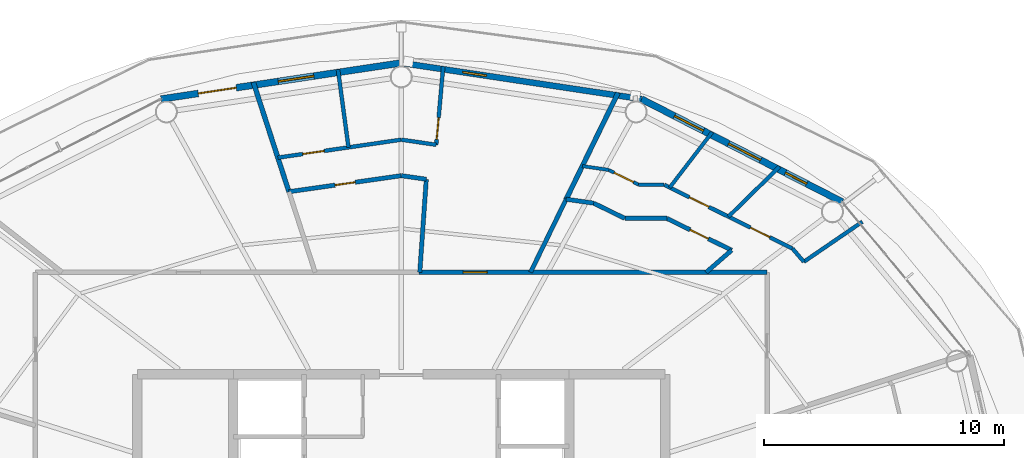
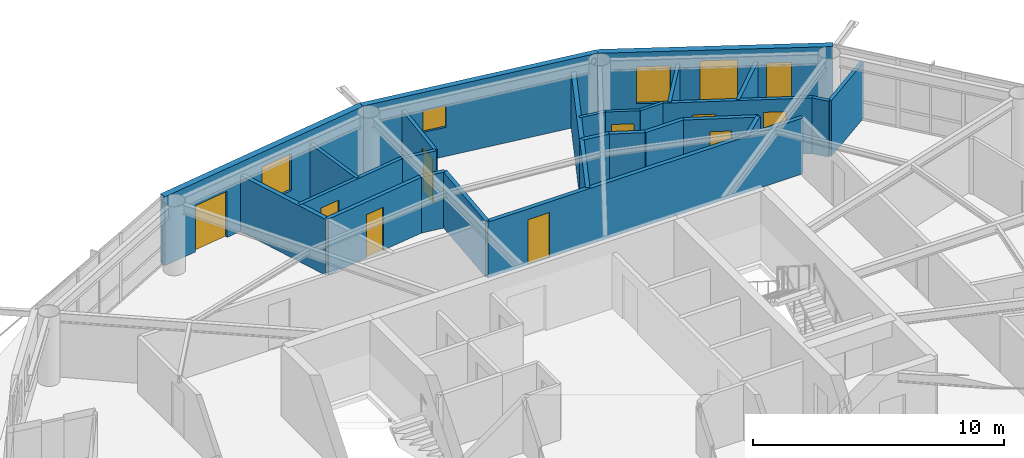
# One storey, part 19 of 23: 27 walls, 9 doors, 5 windows, 14 openings.
"""IFC4 building model written with IfcOpenShell, lengths in metres."""

from ifc_helpers import new_model, si_unit, direction, frame, frame_2d, origin, place, context, subcontext, project, spatial, rectangle, extrude, material, layer, layer_set, type_object, element, fill, save


model = new_model("IFC4")

# Units and contexts
model_context = context("Model", 3, precision=1e-05, world=origin(), true_north=direction((0.0, 1.0)))
body_context = subcontext(model_context, "Body", "Model", "MODEL_VIEW")
ifc_project = project(units=[si_unit("LENGTHUNIT", "METRE"), si_unit("AREAUNIT", "SQUARE_METRE"), si_unit("VOLUMEUNIT", "CUBIC_METRE"), si_unit("PLANEANGLEUNIT", "RADIAN"), si_unit("MASSUNIT", "GRAM", prefix="KILO")], contexts=[model_context])

# Site, building, storey
site_placement = place(None, origin())
site = spatial("IfcSite", under=ifc_project, at=site_placement, CompositionType="ELEMENT")
building_placement = place(site_placement, origin())
building = spatial("IfcBuilding", under=site, at=building_placement, Name="Sarneth Arch Tower", CompositionType="ELEMENT")
storey_placement = place(building_placement, frame((0.0, 0.0, 217.199951171875)))
storey = spatial("IfcBuildingStorey", under=building, at=storey_placement, Name="L55", CompositionType="ELEMENT", Elevation=217.199951171875)

# Wall, opening, door
ifc_material_1 = material(Name="Double steel-stud corridor fire wall", Category="steel")
ifc_layer_1 = layer(ifc_material_1, 0.18994140625)
ifc_layer_set_1 = layer_set([ifc_layer_1], Name="Double steel-stud corridor fire wall")
wall_type_1 = type_object("IfcWallType", Name="WALL-CORR-190", PredefinedType="PARTITIONING", material=ifc_layer_set_1)
wall_1_placement = place(storey_placement, frame((48.740478515625, 53.050048828125, 0.0), z_axis=(0.0, 0.0, 1.0), x_axis=(1.0, 0.0, 0.0)))
wall_1 = element("IfcWall", 1, at=wall_1_placement, inside=storey, type_object=wall_type_1, Name="L55 Interior partition W-L55-TP-003", PredefinedType="PARTITIONING", context=body_context, shape_type="SweptSolid", body=[
    extrude(rectangle(XDim=14.509521484375, YDim=0.18994140625, at=frame_2d((7.2548828125, 0.0))), origin(), (0.0, 0.0, 1.0), 2.719970703125),
])
opening_1_placement = place(wall_1_placement, frame((1.84228515625, 0.0, 0.0)))
opening_1 = element("IfcOpeningElement", 2, at=opening_1_placement, cuts=wall_1, Name="Opening FD-08", PredefinedType="OPENING", context=body_context, shape_type="SweptSolid", body=[
    extrude(rectangle(XDim=1.0, YDim=2.199951171875, at=frame_2d((0.5, 1.10009765625))), frame((0.0, 0.10498046875, 0.0), z_axis=(0.0, -1.0, 0.0), x_axis=(1.0, 0.0, 0.0)), (0.0, 0.0, 1.0), 0.2099609375),
])
ifc_material_2 = material(Name="Hardwood timber acoustic fire door", Category="wood")
door_type_1 = type_object("IfcDoorType", Name="DR-FD60-1000", OperationType="SINGLE_SWING_LEFT", PredefinedType="DOOR", material=ifc_material_2)
door_1_placement = place(opening_1_placement, origin())
door_1 = element("IfcDoor", 3, at=door_1_placement, inside=storey, type_object=door_type_1, Name="L55 Interior door DR-L55-U2-ENT", OperationType="SINGLE_SWING_RIGHT", OverallHeight=2.199951171875, OverallWidth=1.0, PredefinedType="DOOR", context=body_context, shape_type="SweptSolid", body=[
    extrude(rectangle(XDim=1.0, YDim=2.199951171875, at=frame_2d((0.5, 1.10009765625))), frame((0.0, 0.02490234375, 0.0), z_axis=(0.0, -1.0, 0.0), x_axis=(1.0, 0.0, 0.0)), (0.0, 0.0, 1.0), 0.050048828125),
])
fill(opening_1, door_1)

# Wall, opening, window
ifc_material_3 = material(Name="Extruded terracotta rainscreen on Concrete C40/50 backing", Category="masonry")
ifc_layer_2 = layer(ifc_material_3, 0.25)
ifc_layer_set_2 = layer_set([ifc_layer_2], Name="Extruded terracotta rainscreen on Concrete C40/50 backing")
wall_type_2 = type_object("IfcWallType", Name="WALL-EXT-SPAND-250", PredefinedType="SOLIDWALL", material=ifc_layer_set_2)
wall_2_placement = place(storey_placement, frame((58.0126953125, 60.2744140625, 0.0), z_axis=(0.0, 0.0, 1.0), x_axis=(-0.988882522213, 0.148698881169, 0.0)))
wall_2 = element("IfcWall", 4, at=wall_2_placement, inside=storey, type_object=wall_type_2, Name="L55 Terracotta perimeter wall 04", PredefinedType="SOLIDWALL", context=body_context, shape_type="SweptSolid", body=[
    extrude(rectangle(XDim=10.125244140625, YDim=0.25, at=frame_2d((5.0625, 0.0))), origin(), (0.0, 0.0, 1.0), 3.360107421875),
])
opening_2_placement = place(wall_2_placement, frame((6.5341796875, 0.0, 1.419921875)))
opening_2 = element("IfcOpeningElement", 5, at=opening_2_placement, cuts=wall_2, Name="Opening W-14", PredefinedType="OPENING", context=body_context, shape_type="SweptSolid", body=[
    extrude(rectangle(XDim=1.0, YDim=1.050048828125, at=frame_2d((0.5, 0.52490234375))), frame((0.0, 0.135009765625, 0.0), z_axis=(0.0, -1.0, 0.0), x_axis=(1.0, 0.0, 0.0)), (0.0, 0.0, 1.0), 0.27001953125),
])
ifc_material_4 = material(Name="Thermally broken Aluminium 6063-T6 and low-e laminated IGU", Category="aluminium")
window_type_1 = type_object("IfcWindowType", Name="WIN-TWR-1000x1050", PartitioningType="SINGLE_PANEL", PredefinedType="WINDOW", material=ifc_material_4)
window_1_placement = place(opening_2_placement, origin())
window_1 = element("IfcWindow", 6, at=window_1_placement, inside=storey, type_object=window_type_1, Name="L55 Dwelling bedroom window 01", OverallHeight=1.050048828125, OverallWidth=1.0, PartitioningType="SINGLE_PANEL", PredefinedType="WINDOW", context=body_context, shape_type="SweptSolid", body=[
    extrude(rectangle(XDim=1.0, YDim=1.050048828125, at=frame_2d((0.5, 0.52490234375))), frame((0.0, 0.030029296875, 0.0), z_axis=(0.0, -1.0, 0.0), x_axis=(1.0, 0.0, 0.0)), (0.0, 0.0, 1.0), 0.06005859375),
])
fill(opening_2, window_1)

# Wall, openings, windows
ifc_material_5 = material(Name="Extruded terracotta rainscreen on Concrete C40/50 backing", Category="masonry")
ifc_layer_3 = layer(ifc_material_5, 0.280029296875)
ifc_layer_set_3 = layer_set([ifc_layer_3], Name="Extruded terracotta rainscreen on Concrete C40/50 backing")
wall_type_3 = type_object("IfcWallType", Name="WALL-EXT-TERRA-280", PredefinedType="SOLIDWALL", material=ifc_layer_set_3)
wall_3_placement = place(storey_placement, frame((66.382568359375, 55.986572265625, 0.0), z_axis=(0.0, 0.0, 1.0), x_axis=(-0.890007394051, 0.455946091699, 0.0)))
wall_3 = element("IfcWall", 7, at=wall_3_placement, inside=storey, type_object=wall_type_3, Name="L55 Terracotta perimeter wall 03", PredefinedType="SOLIDWALL", context=body_context, shape_type="SweptSolid", body=[
    extrude(rectangle(XDim=9.404296875, YDim=0.280029296875, at=frame_2d((4.7021484375, 0.0))), origin(), (0.0, 0.0, 1.0), 3.360107421875),
])
opening_3_placement = place(wall_3_placement, frame((1.6611328125, 0.0, 0.85009765625)))
opening_3 = element("IfcOpeningElement", 8, at=opening_3_placement, cuts=wall_3, Name="Opening W-11", PredefinedType="OPENING", context=body_context, shape_type="SweptSolid", body=[
    extrude(rectangle(XDim=1.0, YDim=1.800048828125, at=frame_2d((0.5, 0.89990234375))), frame((0.0, 0.14990234375, 0.0), z_axis=(0.0, -1.0, 0.0), x_axis=(1.0, 0.0, 0.0)), (0.0, 0.0, 1.0), 0.300048828125),
])
opening_4_placement = place(wall_3_placement, frame((3.82275390625, 0.0, 0.85009765625)))
opening_4 = element("IfcOpeningElement", 9, at=opening_4_placement, cuts=wall_3, Name="Opening W-06", PredefinedType="OPENING", context=body_context, shape_type="SweptSolid", body=[
    extrude(rectangle(XDim=1.5, YDim=2.0, at=frame_2d((0.75, 1.0))), frame((0.0, 0.14990234375, 0.0), z_axis=(0.0, -1.0, 0.0), x_axis=(1.0, 0.0, 0.0)), (0.0, 0.0, 1.0), 0.300048828125),
])
opening_5_placement = place(wall_3_placement, frame((6.5029296875, 0.0, 0.85009765625)))
opening_5 = element("IfcOpeningElement", 10, at=opening_5_placement, cuts=wall_3, Name="Opening W-08", PredefinedType="OPENING", context=body_context, shape_type="SweptSolid", body=[
    extrude(rectangle(XDim=1.35009765625, YDim=1.800048828125, at=frame_2d((0.675048828125, 0.89990234375))), frame((0.0, 0.14990234375, 0.0), z_axis=(0.0, -1.0, 0.0), x_axis=(1.0, 0.0, 0.0)), (0.0, 0.0, 1.0), 0.300048828125),
])
ifc_material_6 = material(Name="Thermally broken Aluminium 6063-T6 and low-e laminated IGU", Category="aluminium")
window_type_2 = type_object("IfcWindowType", Name="WIN-TWR-1000x1800", PartitioningType="SINGLE_PANEL", PredefinedType="WINDOW", material=ifc_material_6)
window_2_placement = place(opening_3_placement, origin())
window_2 = element("IfcWindow", 11, at=window_2_placement, inside=storey, type_object=window_type_2, Name="L55 Exterior window 03A", OverallHeight=1.800048828125, OverallWidth=1.0, PartitioningType="SINGLE_PANEL", PredefinedType="WINDOW", context=body_context, shape_type="SweptSolid", body=[
    extrude(rectangle(XDim=1.0, YDim=1.800048828125, at=frame_2d((0.5, 0.89990234375))), frame((0.0, 0.030029296875, 0.0), z_axis=(0.0, -1.0, 0.0), x_axis=(1.0, 0.0, 0.0)), (0.0, 0.0, 1.0), 0.06005859375),
])
fill(opening_3, window_2)
ifc_material_7 = material(Name="Thermally broken Aluminium 6063-T6 and low-e laminated IGU", Category="aluminium")
window_type_3 = type_object("IfcWindowType", Name="WIN-TWR-1350x1800", PartitioningType="SINGLE_PANEL", PredefinedType="WINDOW", material=ifc_material_7)
window_3_placement = place(opening_5_placement, origin())
window_3 = element("IfcWindow", 12, at=window_3_placement, inside=storey, type_object=window_type_3, Name="L55 Exterior window 03C", OverallHeight=1.800048828125, OverallWidth=1.35009765625, PartitioningType="SINGLE_PANEL", PredefinedType="WINDOW", context=body_context, shape_type="SweptSolid", body=[
    extrude(rectangle(XDim=1.35009765625, YDim=1.800048828125, at=frame_2d((0.675048828125, 0.89990234375))), frame((0.0, 0.030029296875, 0.0), z_axis=(0.0, -1.0, 0.0), x_axis=(1.0, 0.0, 0.0)), (0.0, 0.0, 1.0), 0.06005859375),
])
fill(opening_5, window_3)
ifc_material_8 = material(Name="Thermally broken Aluminium 6063-T6 and low-e laminated IGU", Category="aluminium")
window_type_4 = type_object("IfcWindowType", Name="WIN-TWR-1500x2000", PartitioningType="SINGLE_PANEL", PredefinedType="WINDOW", material=ifc_material_8)
window_4_placement = place(opening_4_placement, origin())
window_4 = element("IfcWindow", 13, at=window_4_placement, inside=storey, type_object=window_type_4, Name="L55 Exterior window 03B", OverallHeight=2.0, OverallWidth=1.5, PartitioningType="SINGLE_PANEL", PredefinedType="WINDOW", context=body_context, shape_type="SweptSolid", body=[
    extrude(rectangle(XDim=1.5, YDim=2.0, at=frame_2d((0.75, 1.0))), frame((0.0, 0.030029296875, 0.0), z_axis=(0.0, -1.0, 0.0), x_axis=(1.0, 0.0, 0.0)), (0.0, 0.0, 1.0), 0.06005859375),
])
fill(opening_4, window_4)

# Wall, openings, door, window
wall_4_placement = place(storey_placement, frame((48.0, 61.780029296875, 0.0), z_axis=(0.0, 0.0, 1.0), x_axis=(-0.988882522213, -0.148698881169, 0.0)))
wall_4 = element("IfcWall", 14, at=wall_4_placement, inside=storey, type_object=wall_type_3, Name="L55 Terracotta perimeter wall 05", PredefinedType="SOLIDWALL", context=body_context, shape_type="SweptSolid", body=[
    extrude(rectangle(XDim=10.125244140625, YDim=0.280029296875, at=frame_2d((5.0625, 0.0))), origin(), (0.0, 0.0, 1.0), 3.360107421875),
])
opening_6_placement = place(wall_4_placement, frame((3.682861328125, 0.0, 0.85009765625)))
opening_6 = element("IfcOpeningElement", 15, at=opening_6_placement, cuts=wall_4, Name="Opening W-07", PredefinedType="OPENING", context=body_context, shape_type="SweptSolid", body=[
    extrude(rectangle(XDim=1.5, YDim=1.800048828125, at=frame_2d((0.75, 0.89990234375))), frame((0.0, 0.14990234375, 0.0), z_axis=(0.0, -1.0, 0.0), x_axis=(1.0, 0.0, 0.0)), (0.0, 0.0, 1.0), 0.300048828125),
])
opening_7_placement = place(wall_4_placement, frame((6.95556640625, 0.0, 0.0)))
opening_7 = element("IfcOpeningElement", 16, at=opening_7_placement, cuts=wall_4, Name="Opening BD-1", PredefinedType="OPENING", context=body_context, shape_type="SweptSolid", body=[
    extrude(rectangle(XDim=1.60009765625, YDim=2.25, at=frame_2d((0.800048828125, 1.125))), frame((0.0, 0.14990234375, 0.0), z_axis=(0.0, -1.0, 0.0), x_axis=(1.0, 0.0, 0.0)), (0.0, 0.0, 1.0), 0.300048828125),
])
ifc_material_9 = material(Name="Thermally broken Aluminium 6063-T6 and laminated safety glass", Category="aluminium")
door_type_2 = type_object("IfcDoorType", Name="DR-BALC-GLZ-1600", OperationType="DOUBLE_DOOR_SINGLE_SWING", PredefinedType="DOOR", material=ifc_material_9)
door_2_placement = place(opening_7_placement, origin())
door_2 = element("IfcDoor", 17, at=door_2_placement, inside=storey, type_object=door_type_2, Name="L55 Balcony glazed door 05", OperationType="DOUBLE_DOOR_SINGLE_SWING", OverallHeight=2.25, OverallWidth=1.60009765625, PredefinedType="DOOR", context=body_context, shape_type="SweptSolid", body=[
    extrude(rectangle(XDim=1.60009765625, YDim=2.25, at=frame_2d((0.800048828125, 1.125))), frame((0.0, 0.02490234375, 0.0), z_axis=(0.0, -1.0, 0.0), x_axis=(1.0, 0.0, 0.0)), (0.0, 0.0, 1.0), 0.050048828125),
])
fill(opening_7, door_2)
ifc_material_10 = material(Name="Thermally broken Aluminium 6063-T6 and low-e laminated IGU", Category="aluminium")
window_type_5 = type_object("IfcWindowType", Name="WIN-TWR-1500x1800", PartitioningType="SINGLE_PANEL", PredefinedType="WINDOW", material=ifc_material_10)
window_5_placement = place(opening_6_placement, origin())
window_5 = element("IfcWindow", 18, at=window_5_placement, inside=storey, type_object=window_type_5, Name="L55 Exterior window 05A", OverallHeight=1.800048828125, OverallWidth=1.5, PartitioningType="SINGLE_PANEL", PredefinedType="WINDOW", context=body_context, shape_type="SweptSolid", body=[
    extrude(rectangle(XDim=1.5, YDim=1.800048828125, at=frame_2d((0.75, 0.89990234375))), frame((0.0, 0.030029296875, 0.0), z_axis=(0.0, -1.0, 0.0), x_axis=(1.0, 0.0, 0.0)), (0.0, 0.0, 1.0), 0.06005859375),
])
fill(opening_6, window_5)

# Wall, opening, door
ifc_material_11 = material(Name="Apartment internal stud partition", Category="gypsum")
ifc_layer_4 = layer(ifc_material_11, 0.139892578125)
ifc_layer_set_4 = layer_set([ifc_layer_4], Name="Apartment internal stud partition")
wall_type_4 = type_object("IfcWallType", Name="WALL-PART-140", PredefinedType="PARTITIONING", material=ifc_layer_set_4)
wall_5_placement = place(storey_placement, frame((56.65478515625, 57.31787109375, 0.0), z_axis=(0.0, 0.0, 1.0), x_axis=(0.895584310315, -0.444891833053, 0.0)))
wall_5 = element("IfcWall", 19, at=wall_5_placement, inside=storey, type_object=wall_type_4, Name="L55 Interior partition W-L55-TP-031", PredefinedType="PARTITIONING", context=body_context, shape_type="SweptSolid", body=[
    extrude(rectangle(XDim=1.388916015625, YDim=0.139892578125, at=frame_2d((0.6943359375, 0.0))), origin(), (0.0, 0.0, 1.0), 2.719970703125),
])
opening_8_placement = place(wall_5_placement, frame((0.244384765625, 0.0, 0.0)))
opening_8 = element("IfcOpeningElement", 20, at=opening_8_placement, cuts=wall_5, Name="Opening ID-01", PredefinedType="OPENING", context=body_context, shape_type="SweptSolid", body=[
    extrude(rectangle(XDim=0.89990234375, YDim=2.10009765625, at=frame_2d((0.449951171875, 1.050048828125))), frame((0.0, 0.079833984375, 0.0), z_axis=(0.0, -1.0, 0.0), x_axis=(1.0, 0.0, 0.0)), (0.0, 0.0, 1.0), 0.159912109375),
])
ifc_material_12 = material(Name="Engineered hardwood flush door", Category="wood")
door_type_3 = type_object("IfcDoorType", Name="DR-INT-900", OperationType="SINGLE_SWING_LEFT", PredefinedType="DOOR", material=ifc_material_12)
door_3_placement = place(opening_8_placement, origin())
door_3 = element("IfcDoor", 21, at=door_3_placement, inside=storey, type_object=door_type_3, Name="L55 Interior door DR-L55-U1-BED2", OperationType="SINGLE_SWING_RIGHT", OverallHeight=2.10009765625, OverallWidth=0.89990234375, PredefinedType="DOOR", context=body_context, shape_type="SweptSolid", body=[
    extrude(rectangle(XDim=0.89990234375, YDim=2.10009765625, at=frame_2d((0.449951171875, 1.050048828125))), frame((0.0, 0.02490234375, 0.0), z_axis=(0.0, -1.0, 0.0), x_axis=(1.0, 0.0, 0.0)), (0.0, 0.0, 1.0), 0.050048828125),
])
fill(opening_8, door_3)

# Walls
wall_6_placement = place(storey_placement, frame((55.5498046875, 57.47900390625, 0.0), z_axis=(0.0, 0.0, 1.0), x_axis=(0.989534281859, -0.144297973051, 0.0)))
element("IfcWall", 22, at=wall_6_placement, inside=storey, type_object=wall_type_4, Name="L55 Interior partition W-L55-TP-030", PredefinedType="PARTITIONING", context=body_context, shape_type="SweptSolid", body=[
    extrude(rectangle(XDim=1.11669921875, YDim=0.139892578125, at=frame_2d((0.558349609375, 0.0))), origin(), (0.0, 0.0, 1.0), 2.719970703125),
])
wall_7_placement = place(storey_placement, frame((57.898681640625, 56.699951171875, 0.0), z_axis=(0.0, 0.0, 1.0), x_axis=(1.0, 0.0, 0.0)))
element("IfcWall", 23, at=wall_7_placement, inside=storey, type_object=wall_type_4, Name="L55 Interior partition W-L55-TP-032", PredefinedType="PARTITIONING", context=body_context, shape_type="SweptSolid", body=[
    extrude(rectangle(XDim=1.065185546875, YDim=0.139892578125, at=frame_2d((0.53271484375, 0.0))), origin(), (0.0, 0.0, 1.0), 2.719970703125),
])
ifc_material_13 = material(Name="Acoustic gypsum stud partition", Category="gypsum")
ifc_layer_5 = layer(ifc_material_13, 0.14990234375)
ifc_layer_set_5 = layer_set([ifc_layer_5], Name="Acoustic gypsum stud partition")
wall_type_5 = type_object("IfcWallType", Name="WALL-PART-150", PredefinedType="PARTITIONING", material=ifc_layer_set_5)
wall_8_placement = place(storey_placement, frame((60.964111328125, 58.89501953125, 0.0), z_axis=(0.0, 0.0, 1.0), x_axis=(-0.608822468724, -0.793306499139, 0.0)))
element("IfcWall", 24, at=wall_8_placement, inside=storey, type_object=wall_type_5, Name="L55 Interior partition W-L55-TP-039", PredefinedType="PARTITIONING", context=body_context, shape_type="SweptSolid", body=[
    extrude(rectangle(XDim=2.91015625, YDim=0.14990234375, at=frame_2d((1.455078125, 0.0))), origin(), (0.0, 0.0, 1.0), 2.719970703125),
])

# Wall, opening, door
ifc_material_14 = material(Name="Kitchen wet service chase wall", Category="gypsum")
ifc_layer_6 = layer(ifc_material_14, 0.159912109375)
ifc_layer_set_6 = layer_set([ifc_layer_6], Name="Kitchen wet service chase wall")
wall_type_6 = type_object("IfcWallType", Name="WALL-PLUMB-160", PredefinedType="PLUMBINGWALL", material=ifc_layer_set_6)
wall_9_placement = place(storey_placement, frame((49.45849609375, 58.3671875, 0.0), z_axis=(0.0, 0.0, 1.0), x_axis=(0.088772560689, 0.996051922577, 0.0)))
wall_9 = element("IfcWall", 25, at=wall_9_placement, inside=storey, type_object=wall_type_6, Name="L55 Interior partition W-L55-TP-043", PredefinedType="PLUMBINGWALL", context=body_context, shape_type="SweptSolid", body=[
    extrude(rectangle(XDim=3.28369140625, YDim=0.159912109375, at=frame_2d((1.641845703125, 0.0))), origin(), (0.0, 0.0, 1.0), 2.719970703125),
])
opening_9_placement = place(wall_9_placement, frame((0.231689453125, 0.0, 0.0)))
opening_9 = element("IfcOpeningElement", 26, at=opening_9_placement, cuts=wall_9, Name="Opening ID-01", PredefinedType="OPENING", context=body_context, shape_type="SweptSolid", body=[
    extrude(rectangle(XDim=0.89990234375, YDim=2.10009765625, at=frame_2d((0.449951171875, 1.050048828125))), frame((0.0, 0.08984375, 0.0), z_axis=(0.0, -1.0, 0.0), x_axis=(1.0, 0.0, 0.0)), (0.0, 0.0, 1.0), 0.179931640625),
])
door_4_placement = place(opening_9_placement, origin())
door_4 = element("IfcDoor", 27, at=door_4_placement, inside=storey, type_object=door_type_3, Name="L55 Interior door DR-L55-U2-KIT", OperationType="SINGLE_SWING_LEFT", OverallHeight=2.10009765625, OverallWidth=0.89990234375, PredefinedType="DOOR", context=body_context, shape_type="SweptSolid", body=[
    extrude(rectangle(XDim=0.89990234375, YDim=2.10009765625, at=frame_2d((0.449951171875, 1.050048828125))), frame((0.0, 0.02490234375, 0.0), z_axis=(0.0, -1.0, 0.0), x_axis=(1.0, 0.0, 0.0)), (0.0, 0.0, 1.0), 0.050048828125),
])
fill(opening_9, door_4)

# Wall
wall_10_placement = place(storey_placement, frame((45.801025390625, 58.25927734375, 0.0), z_axis=(0.0, 0.0, 1.0), x_axis=(-0.13403859548, 0.990976112185, 0.0)))
element("IfcWall", 28, at=wall_10_placement, inside=storey, type_object=wall_type_6, Name="L55 Interior partition W-L55-TP-049", PredefinedType="PLUMBINGWALL", context=body_context, shape_type="SweptSolid", body=[
    extrude(rectangle(XDim=3.27490234375, YDim=0.159912109375, at=frame_2d((1.637451171875, 0.0))), origin(), (0.0, 0.0, 1.0), 2.719970703125),
])

# Wall, openings, doors
wall_11_placement = place(storey_placement, frame((58.964111328125, 56.7001953125, 0.0), z_axis=(0.0, 0.0, 1.0), x_axis=(0.895447007867, -0.445168121166, 0.0)))
wall_11 = element("IfcWall", 29, at=wall_11_placement, inside=storey, type_object=wall_type_6, Name="L55 Interior partition W-L55-TP-021", PredefinedType="PLUMBINGWALL", context=body_context, shape_type="SweptSolid", body=[
    extrude(rectangle(XDim=5.97119140625, YDim=0.159912109375, at=frame_2d((2.985595703125, 0.0))), origin(), (0.0, 0.0, 1.0), 2.719970703125),
])
opening_10_placement = place(wall_11_placement, frame((4.01318359375, 0.0, 0.0)))
opening_10 = element("IfcOpeningElement", 30, at=opening_10_placement, cuts=wall_11, Name="Opening ID-01", PredefinedType="OPENING", context=body_context, shape_type="SweptSolid", body=[
    extrude(rectangle(XDim=0.89990234375, YDim=2.10009765625, at=frame_2d((0.449951171875, 1.050048828125))), frame((0.0, 0.08984375, 0.0), z_axis=(0.0, -1.0, 0.0), x_axis=(1.0, 0.0, 0.0)), (0.0, 0.0, 1.0), 0.179931640625),
])
opening_11_placement = place(wall_11_placement, frame((1.1728515625, 0.0, 0.0)))
opening_11 = element("IfcOpeningElement", 31, at=opening_11_placement, cuts=wall_11, Name="Opening ID-01", PredefinedType="OPENING", context=body_context, shape_type="SweptSolid", body=[
    extrude(rectangle(XDim=0.89990234375, YDim=2.10009765625, at=frame_2d((0.449951171875, 1.050048828125))), frame((0.0, 0.08984375, 0.0), z_axis=(0.0, -1.0, 0.0), x_axis=(1.0, 0.0, 0.0)), (0.0, 0.0, 1.0), 0.179931640625),
])
door_5_placement = place(opening_10_placement, origin())
door_5 = element("IfcDoor", 32, at=door_5_placement, inside=storey, type_object=door_type_3, Name="L55 Interior door DR-L55-U1-KIT", OperationType="SINGLE_SWING_LEFT", OverallHeight=2.10009765625, OverallWidth=0.89990234375, PredefinedType="DOOR", context=body_context, shape_type="SweptSolid", body=[
    extrude(rectangle(XDim=0.89990234375, YDim=2.10009765625, at=frame_2d((0.449951171875, 1.050048828125))), frame((0.0, 0.02490234375, 0.0), z_axis=(0.0, -1.0, 0.0), x_axis=(1.0, 0.0, 0.0)), (0.0, 0.0, 1.0), 0.050048828125),
])
fill(opening_10, door_5)
door_6_placement = place(opening_11_placement, origin())
door_6 = element("IfcDoor", 33, at=door_6_placement, inside=storey, type_object=door_type_3, Name="L55 Interior door DR-L55-U1-BED1", OperationType="SINGLE_SWING_LEFT", OverallHeight=2.10009765625, OverallWidth=0.89990234375, PredefinedType="DOOR", context=body_context, shape_type="SweptSolid", body=[
    extrude(rectangle(XDim=0.89990234375, YDim=2.10009765625, at=frame_2d((0.449951171875, 1.050048828125))), frame((0.0, 0.02490234375, 0.0), z_axis=(0.0, -1.0, 0.0), x_axis=(1.0, 0.0, 0.0)), (0.0, 0.0, 1.0), 0.050048828125),
])
fill(opening_11, door_6)

# Wall, opening, door
wall_12_placement = place(storey_placement, frame((42.8564453125, 57.830078125, 0.0), z_axis=(0.0, 0.0, 1.0), x_axis=(0.989542480506, 0.144241739018, 0.0)))
wall_12 = element("IfcWall", 34, at=wall_12_placement, inside=storey, type_object=wall_type_6, Name="L55 Interior partition W-L55-TP-047", PredefinedType="PLUMBINGWALL", context=body_context, shape_type="SweptSolid", body=[
    extrude(rectangle(XDim=5.197998046875, YDim=0.159912109375, at=frame_2d((2.59912109375, 0.0))), origin(), (0.0, 0.0, 1.0), 2.719970703125),
])
opening_12_placement = place(wall_12_placement, frame((1.0537109375, 0.0, 0.0)))
opening_12 = element("IfcOpeningElement", 35, at=opening_12_placement, cuts=wall_12, Name="Opening ID-01", PredefinedType="OPENING", context=body_context, shape_type="SweptSolid", body=[
    extrude(rectangle(XDim=0.89990234375, YDim=2.10009765625, at=frame_2d((0.449951171875, 1.050048828125))), frame((0.0, 0.08984375, 0.0), z_axis=(0.0, -1.0, 0.0), x_axis=(1.0, 0.0, 0.0)), (0.0, 0.0, 1.0), 0.179931640625),
])
door_7_placement = place(opening_12_placement, origin())
door_7 = element("IfcDoor", 36, at=door_7_placement, inside=storey, type_object=door_type_3, Name="L55 Interior door DR-L55-U2-BED1", OperationType="SINGLE_SWING_LEFT", OverallHeight=2.10009765625, OverallWidth=0.89990234375, PredefinedType="DOOR", context=body_context, shape_type="SweptSolid", body=[
    extrude(rectangle(XDim=0.89990234375, YDim=2.10009765625, at=frame_2d((0.449951171875, 1.050048828125))), frame((0.0, 0.02490234375, 0.0), z_axis=(0.0, -1.0, 0.0), x_axis=(1.0, 0.0, 0.0)), (0.0, 0.0, 1.0), 0.050048828125),
])
fill(opening_12, door_7)

# Walls
wall_13_placement = place(storey_placement, frame((63.767333984375, 57.4541015625, 0.0), z_axis=(0.0, 0.0, 1.0), x_axis=(-0.714203003572, -0.699938618515, 0.0)))
element("IfcWall", 37, at=wall_13_placement, inside=storey, type_object=wall_type_6, Name="L55 Interior partition W-L55-TP-037", PredefinedType="PLUMBINGWALL", context=body_context, shape_type="SweptSolid", body=[
    extrude(rectangle(XDim=2.97802734375, YDim=0.159912109375, at=frame_2d((1.489013671875, 0.0))), origin(), (0.0, 0.0, 1.0), 2.719970703125),
])
wall_14_placement = place(storey_placement, frame((64.782958984375, 53.48876953125, 0.0), z_axis=(0.0, 0.0, 1.0), x_axis=(0.825165456639, 0.564891112666, 0.0)))
element("IfcWall", 38, at=wall_14_placement, inside=storey, type_object=wall_type_6, Name="L55 Interior partition W-L55-TP-023", PredefinedType="PLUMBINGWALL", context=body_context, shape_type="SweptSolid", body=[
    extrude(rectangle(XDim=2.95654296875, YDim=0.159912109375, at=frame_2d((1.478271484375, 0.0))), origin(), (0.0, 0.0, 1.0), 2.719970703125),
])
wall_15_placement = place(storey_placement, frame((48.0, 58.580078125, 0.0), z_axis=(0.0, 0.0, 1.0), x_axis=(0.989514247961, -0.144435290295, 0.0)))
element("IfcWall", 39, at=wall_15_placement, inside=storey, type_object=wall_type_6, Name="L55 Interior partition W-L55-TP-042", PredefinedType="PLUMBINGWALL", context=body_context, shape_type="SweptSolid", body=[
    extrude(rectangle(XDim=1.473876953125, YDim=0.159912109375, at=frame_2d((0.73681640625, 0.0))), origin(), (0.0, 0.0, 1.0), 2.719970703125),
])
wall_16_placement = place(storey_placement, frame((64.31103515625, 54.0419921875, 0.0), z_axis=(0.0, 0.0, 1.0), x_axis=(0.648992334632, -0.760794945823, 0.0)))
element("IfcWall", 40, at=wall_16_placement, inside=storey, type_object=wall_type_6, Name="L55 Interior partition W-L55-TP-022", PredefinedType="PLUMBINGWALL", context=body_context, shape_type="SweptSolid", body=[
    extrude(rectangle(XDim=0.72705078125, YDim=0.159912109375, at=frame_2d((0.363525390625, 0.0))), origin(), (0.0, 0.0, 1.0), 2.719970703125),
])

# Wall, opening, door
ifc_material_15 = material(Name="Moisture-resistant plumbing chase wall", Category="gypsum")
ifc_layer_7 = layer(ifc_material_15, 0.179931640625)
ifc_layer_set_7 = layer_set([ifc_layer_7], Name="Moisture-resistant plumbing chase wall")
wall_type_7 = type_object("IfcWallType", Name="WALL-PLUMB-180", PredefinedType="PLUMBINGWALL", material=ifc_layer_set_7)
wall_17_placement = place(storey_placement, frame((43.31787109375, 56.41015625, 0.0), z_axis=(0.0, 0.0, 1.0), x_axis=(0.989918499483, 0.141638145927, 0.0)))
wall_17 = element("IfcWall", 41, at=wall_17_placement, inside=storey, type_object=wall_type_7, Name="L55 Interior partition W-L55-TP-044", PredefinedType="PLUMBINGWALL", context=body_context, shape_type="SweptSolid", body=[
    extrude(rectangle(XDim=4.729736328125, YDim=0.179931640625, at=frame_2d((2.36474609375, 0.0))), origin(), (0.0, 0.0, 1.0), 2.719970703125),
])
opening_13_placement = place(wall_17_placement, frame((1.93994140625, 0.0, 0.0)))
opening_13 = element("IfcOpeningElement", 42, at=opening_13_placement, cuts=wall_17, Name="Opening ID-02", PredefinedType="OPENING", context=body_context, shape_type="SweptSolid", body=[
    extrude(rectangle(XDim=0.85009765625, YDim=2.10009765625, at=frame_2d((0.425048828125, 1.050048828125))), frame((0.0, 0.099853515625, 0.0), z_axis=(0.0, -1.0, 0.0), x_axis=(1.0, 0.0, 0.0)), (0.0, 0.0, 1.0), 0.199951171875),
])
ifc_material_16 = material(Name="Moisture-resistant bathroom timber door", Category="wood")
door_type_4 = type_object("IfcDoorType", Name="DR-INT-850", OperationType="SINGLE_SWING_RIGHT", PredefinedType="DOOR", material=ifc_material_16)
door_8_placement = place(opening_13_placement, origin())
door_8 = element("IfcDoor", 43, at=door_8_placement, inside=storey, type_object=door_type_4, Name="L55 Interior door DR-L55-U2-BATH", OperationType="SINGLE_SWING_RIGHT", OverallHeight=2.10009765625, OverallWidth=0.85009765625, PredefinedType="DOOR", context=body_context, shape_type="SweptSolid", body=[
    extrude(rectangle(XDim=0.85009765625, YDim=2.10009765625, at=frame_2d((0.425048828125, 1.050048828125))), frame((0.0, 0.02490234375, 0.0), z_axis=(0.0, -1.0, 0.0), x_axis=(1.0, 0.0, 0.0)), (0.0, 0.0, 1.0), 0.050048828125),
])
fill(opening_13, door_8)

# Walls
wall_18_placement = place(storey_placement, frame((49.044189453125, 56.9306640625, 0.0), z_axis=(0.0, 0.0, 1.0), x_axis=(-0.0697885329, -0.997561807948, 0.0)))
element("IfcWall", 44, at=wall_18_placement, inside=storey, type_object=wall_type_7, Name="L55 Interior partition W-L55-TP-046", PredefinedType="PLUMBINGWALL", context=body_context, shape_type="SweptSolid", body=[
    extrude(rectangle(XDim=3.89013671875, YDim=0.179931640625, at=frame_2d((1.945068359375, 0.0))), origin(), (0.0, 0.0, 1.0), 2.719970703125),
])
wall_19_placement = place(storey_placement, frame((54.889892578125, 56.126708984375, 0.0), z_axis=(0.0, 0.0, 1.0), x_axis=(-0.438347749683, -0.898805457453, 0.0)))
element("IfcWall", 45, at=wall_19_placement, inside=storey, type_object=wall_type_7, Name="L55 Interior partition W-L55-TP-038", PredefinedType="PLUMBINGWALL", context=body_context, shape_type="SweptSolid", body=[
    extrude(rectangle(XDim=3.423095703125, YDim=0.179931640625, at=frame_2d((1.71142578125, 0.0))), origin(), (0.0, 0.0, 1.0), 2.719970703125),
])

# Wall, opening, door
wall_20_placement = place(storey_placement, frame((59.069091796875, 55.300048828125, 0.0), z_axis=(0.0, 0.0, 1.0), x_axis=(0.897805130008, -0.440392947867, 0.0)))
wall_20 = element("IfcWall", 46, at=wall_20_placement, inside=storey, type_object=wall_type_7, Name="L55 Interior partition W-L55-TP-027", PredefinedType="PLUMBINGWALL", context=body_context, shape_type="SweptSolid", body=[
    extrude(rectangle(XDim=3.012451171875, YDim=0.179931640625, at=frame_2d((1.50634765625, 0.0))), origin(), (0.0, 0.0, 1.0), 2.719970703125),
])
opening_14_placement = place(wall_20_placement, frame((1.081298828125, 0.0, 0.0)))
opening_14 = element("IfcOpeningElement", 47, at=opening_14_placement, cuts=wall_20, Name="Opening ID-02", PredefinedType="OPENING", context=body_context, shape_type="SweptSolid", body=[
    extrude(rectangle(XDim=0.85009765625, YDim=2.10009765625, at=frame_2d((0.425048828125, 1.050048828125))), frame((0.0, 0.099853515625, 0.0), z_axis=(0.0, -1.0, 0.0), x_axis=(1.0, 0.0, 0.0)), (0.0, 0.0, 1.0), 0.199951171875),
])
door_9_placement = place(opening_14_placement, origin())
door_9 = element("IfcDoor", 48, at=door_9_placement, inside=storey, type_object=door_type_4, Name="L55 Interior door DR-L55-U1-BATH", OperationType="SINGLE_SWING_RIGHT", OverallHeight=2.10009765625, OverallWidth=0.85009765625, PredefinedType="DOOR", context=body_context, shape_type="SweptSolid", body=[
    extrude(rectangle(XDim=0.85009765625, YDim=2.10009765625, at=frame_2d((0.425048828125, 1.050048828125))), frame((0.0, 0.02490234375, 0.0), z_axis=(0.0, -1.0, 0.0), x_axis=(1.0, 0.0, 0.0)), (0.0, 0.0, 1.0), 0.050048828125),
])
fill(opening_14, door_9)

# Walls
wall_21_placement = place(storey_placement, frame((57.32080078125, 55.300048828125, 0.0), z_axis=(0.0, 0.0, 1.0), x_axis=(1.0, 0.0, 0.0)))
element("IfcWall", 49, at=wall_21_placement, inside=storey, type_object=wall_type_7, Name="L55 Interior partition W-L55-TP-026", PredefinedType="PLUMBINGWALL", context=body_context, shape_type="SweptSolid", body=[
    extrude(rectangle(XDim=1.748291015625, YDim=0.179931640625, at=frame_2d((0.8740234375, 0.0))), origin(), (0.0, 0.0, 1.0), 2.719970703125),
])
wall_22_placement = place(storey_placement, frame((56.02392578125, 55.93212890625, 0.0), z_axis=(0.0, 0.0, 1.0), x_axis=(0.898916394035, -0.438120207861, 0.0)))
element("IfcWall", 50, at=wall_22_placement, inside=storey, type_object=wall_type_7, Name="L55 Interior partition W-L55-TP-025", PredefinedType="PLUMBINGWALL", context=body_context, shape_type="SweptSolid", body=[
    extrude(rectangle(XDim=1.442626953125, YDim=0.179931640625, at=frame_2d((0.72119140625, 0.0))), origin(), (0.0, 0.0, 1.0), 2.719970703125),
])
wall_23_placement = place(storey_placement, frame((61.773681640625, 53.973388671875, 0.0), z_axis=(0.0, 0.0, 1.0), x_axis=(-0.7546578079, -0.656118581489, 0.0)))
element("IfcWall", 51, at=wall_23_placement, inside=storey, type_object=wall_type_7, Name="L55 Interior partition W-L55-TP-028", PredefinedType="PLUMBINGWALL", context=body_context, shape_type="SweptSolid", body=[
    extrude(rectangle(XDim=1.4072265625, YDim=0.179931640625, at=frame_2d((0.70361328125, 0.0))), origin(), (0.0, 0.0, 1.0), 2.719970703125),
])
wall_24_placement = place(storey_placement, frame((54.875244140625, 56.096435546875, 0.0), z_axis=(0.0, 0.0, 1.0), x_axis=(0.989924230083, -0.141598088596, 0.0)))
element("IfcWall", 52, at=wall_24_placement, inside=storey, type_object=wall_type_7, Name="L55 Interior partition W-L55-TP-024", PredefinedType="PLUMBINGWALL", context=body_context, shape_type="SweptSolid", body=[
    extrude(rectangle(XDim=1.160400390625, YDim=0.179931640625, at=frame_2d((0.580078125, 0.0))), origin(), (0.0, 0.0, 1.0), 2.719970703125),
])
wall_25_placement = place(storey_placement, frame((48.0, 57.080078125, 0.0), z_axis=(0.0, 0.0, 1.0), x_axis=(0.989917064499, -0.141648174766, 0.0)))
element("IfcWall", 53, at=wall_25_placement, inside=storey, type_object=wall_type_7, Name="L55 Interior partition W-L55-TP-045", PredefinedType="PLUMBINGWALL", context=body_context, shape_type="SweptSolid", body=[
    extrude(rectangle(XDim=1.054931640625, YDim=0.179931640625, at=frame_2d((0.52734375, 0.0))), origin(), (0.0, 0.0, 1.0), 2.719970703125),
])
ifc_material_17 = material(Name="Double steel-stud acoustic drywall", Category="steel")
ifc_layer_8 = layer(ifc_material_17, 0.199951171875)
ifc_layer_set_8 = layer_set([ifc_layer_8], Name="Double steel-stud acoustic drywall")
wall_type_8 = type_object("IfcWallType", Name="WALL-UNIT-200", PredefinedType="PARTITIONING", material=ifc_layer_set_8)
wall_26_placement = place(storey_placement, frame((57.040771484375, 60.536376953125, 0.0), z_axis=(0.0, 0.0, 1.0), x_axis=(-0.438355931311, -0.898801467224, 0.0)))
element("IfcWall", 54, at=wall_26_placement, inside=storey, type_object=wall_type_8, Name="L55 Interior partition W-L55-TP-040", PredefinedType="PARTITIONING", context=body_context, shape_type="SweptSolid", body=[
    extrude(rectangle(XDim=4.9736328125, YDim=0.199951171875, at=frame_2d((2.48681640625, 0.0))), origin(), (0.0, 0.0, 1.0), 2.719970703125),
])
wall_27_placement = place(storey_placement, frame((43.31787109375, 56.41015625, 0.0), z_axis=(0.0, 0.0, 1.0), x_axis=(-0.309012424199, 0.951058001223, 0.0)))
element("IfcWall", 55, at=wall_27_placement, inside=storey, type_object=wall_type_8, Name="L55 Interior partition W-L55-TP-051", PredefinedType="PARTITIONING", context=body_context, shape_type="SweptSolid", body=[
    extrude(rectangle(XDim=4.79736328125, YDim=0.199951171875, at=frame_2d((2.398681640625, 0.0))), origin(), (0.0, 0.0, 1.0), 2.719970703125),
])

save(model, "model.ifc")
